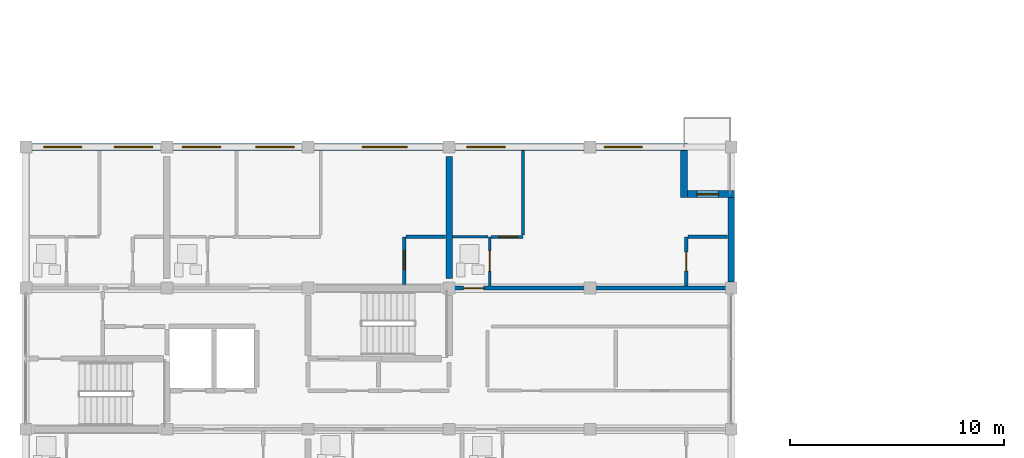
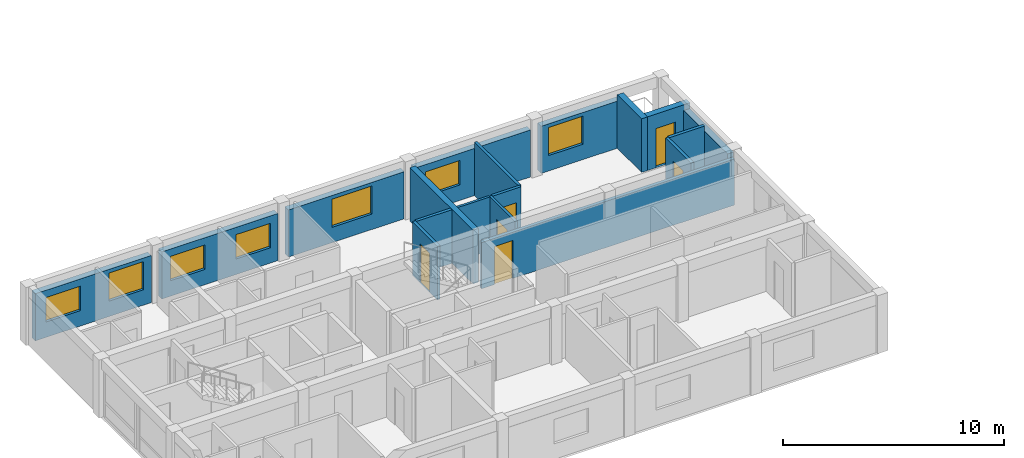
# One storey, part 33 of 45: 18 walls, 7 windows, 6 doors, 13 openings.
"""IFC4 building model written with IfcOpenShell, lengths in metres."""

from ifc_helpers import new_model, si_unit, direction, frame, frame_2d, origin, place, context, subcontext, project, spatial, rectangle, extrude, material, layer, layer_set, type_object, element, fill, save


model = new_model("IFC4")

# Units and contexts
model_context = context("Model", 3, precision=1e-05, world=origin(), true_north=direction((0.0, 1.0)))
body_context = subcontext(model_context, "Body", "Model", "MODEL_VIEW")
ifc_project = project(units=[si_unit("LENGTHUNIT", "METRE"), si_unit("AREAUNIT", "SQUARE_METRE"), si_unit("VOLUMEUNIT", "CUBIC_METRE"), si_unit("PLANEANGLEUNIT", "RADIAN"), si_unit("MASSUNIT", "GRAM", prefix="KILO")], contexts=[model_context])

# Site, building, storey
site_placement = place(None, origin())
site = spatial("IfcSite", under=ifc_project, at=site_placement, CompositionType="ELEMENT")
building_placement = place(site_placement, origin())
building = spatial("IfcBuilding", under=site, at=building_placement, Name="Kernevlak Ridge Housing Community", CompositionType="ELEMENT")
storey_placement = place(building_placement, frame((0.0, 0.0, 21.199951171875)))
storey = spatial("IfcBuildingStorey", under=building, at=storey_placement, Name="L06", CompositionType="ELEMENT", Elevation=21.199951171875)

# Wall, openings, windows
ifc_material_1 = material(Name="Concrete block masonry M10", Category="masonry")
ifc_layer_1 = layer(ifc_material_1, 0.320068359375, Name="Concrete block masonry M10")
ifc_layer_set_1 = layer_set([ifc_layer_1], Name="Concrete block masonry M10")
wall_type_1 = type_object("IfcWallType", Name="EW-02", PredefinedType="STANDARD", material=ifc_layer_set_1)
wall_1_placement = place(storey_placement, frame((15.875, 95.800048828125, 0.0), z_axis=(0.0, 0.0, 1.0), x_axis=(1.0, 0.0, 0.0)))
wall_1 = element("IfcWall", 1, at=wall_1_placement, inside=storey, type_object=wall_type_1, Name="Exterior wall EW-02 L06 98", PredefinedType="STANDARD", context=body_context, shape_type="SweptSolid", body=[
    extrude(rectangle(XDim=6.050048828125, YDim=0.320068359375, at=frame_2d((3.02490234375, 0.0))), origin(), (0.0, 0.0, 1.0), 2.60009765625),
])
opening_1_placement = place(wall_1_placement, frame((0.550048828125, 0.0, 0.85009765625)))
opening_1 = element("IfcOpeningElement", 2, at=opening_1_placement, cuts=wall_1, Name="Opening WT-03", PredefinedType="OPENING", context=body_context, shape_type="SweptSolid", body=[
    extrude(rectangle(XDim=1.800048828125, YDim=1.35009765625, at=frame_2d((0.89990234375, 0.675048828125))), frame((0.0, 0.169921875, 0.0), z_axis=(0.0, -1.0, 0.0), x_axis=(1.0, 0.0, 0.0)), (0.0, 0.0, 1.0), 0.340087890625),
])
opening_2_placement = place(wall_1_placement, frame((3.85009765625, 0.0, 0.85009765625)))
opening_2 = element("IfcOpeningElement", 3, at=opening_2_placement, cuts=wall_1, Name="Opening WT-04", PredefinedType="OPENING", context=body_context, shape_type="SweptSolid", body=[
    extrude(rectangle(XDim=1.800048828125, YDim=1.550048828125, at=frame_2d((0.89990234375, 0.77490234375))), frame((0.0, 0.169921875, 0.0), z_axis=(0.0, -1.0, 0.0), x_axis=(1.0, 0.0, 0.0)), (0.0, 0.0, 1.0), 0.340087890625),
])
ifc_material_2 = material(Name="Aluminium EN AW-6060 anodised and laminated glass", Category="aluminium")
window_type_1 = type_object("IfcWindowType", Name="WT-03", PartitioningType="SINGLE_PANEL", PredefinedType="WINDOW", material=ifc_material_2)
window_1_placement = place(opening_1_placement, origin())
window_1 = element("IfcWindow", 4, at=window_1_placement, inside=storey, type_object=window_type_1, Name="Window WT-03 L06 76", OverallHeight=1.35009765625, OverallWidth=1.800048828125, PartitioningType="SINGLE_PANEL", PredefinedType="WINDOW", context=body_context, shape_type="SweptSolid", body=[
    extrude(rectangle(XDim=1.800048828125, YDim=1.35009765625, at=frame_2d((0.89990234375, 0.675048828125))), frame((0.0, 0.030029296875, 0.0), z_axis=(0.0, -1.0, 0.0), x_axis=(1.0, 0.0, 0.0)), (0.0, 0.0, 1.0), 0.06005859375),
])
fill(opening_1, window_1)
window_type_2 = type_object("IfcWindowType", Name="WT-04", PartitioningType="SINGLE_PANEL", PredefinedType="WINDOW", material=ifc_material_2)
window_2_placement = place(opening_2_placement, origin())
window_2 = element("IfcWindow", 5, at=window_2_placement, inside=storey, type_object=window_type_2, Name="Window WT-04 L06 77", OverallHeight=1.550048828125, OverallWidth=1.800048828125, PartitioningType="SINGLE_PANEL", PredefinedType="WINDOW", context=body_context, shape_type="SweptSolid", body=[
    extrude(rectangle(XDim=1.800048828125, YDim=1.550048828125, at=frame_2d((0.89990234375, 0.77490234375))), frame((0.0, 0.030029296875, 0.0), z_axis=(0.0, -1.0, 0.0), x_axis=(1.0, 0.0, 0.0)), (0.0, 0.0, 1.0), 0.06005859375),
])
fill(opening_2, window_2)

wall_2_placement = place(storey_placement, frame((22.47509765625, 95.800048828125, 0.0), z_axis=(0.0, 0.0, 1.0), x_axis=(1.0, 0.0, 0.0)))
wall_2 = element("IfcWall", 6, at=wall_2_placement, inside=storey, type_object=wall_type_1, Name="Exterior wall EW-02 L06 99", PredefinedType="STANDARD", context=body_context, shape_type="SweptSolid", body=[
    extrude(rectangle(XDim=6.0498046875, YDim=0.320068359375, at=frame_2d((3.02490234375, 0.0))), origin(), (0.0, 0.0, 1.0), 2.60009765625),
])
opening_3_placement = place(wall_2_placement, frame((0.449951171875, 0.0, 0.85009765625)))
opening_3 = element("IfcOpeningElement", 7, at=opening_3_placement, cuts=wall_2, Name="Opening WT-03", PredefinedType="OPENING", context=body_context, shape_type="SweptSolid", body=[
    extrude(rectangle(XDim=1.800048828125, YDim=1.35009765625, at=frame_2d((0.89990234375, 0.675048828125))), frame((0.0, 0.169921875, 0.0), z_axis=(0.0, -1.0, 0.0), x_axis=(1.0, 0.0, 0.0)), (0.0, 0.0, 1.0), 0.340087890625),
])
opening_4_placement = place(wall_2_placement, frame((3.875, 0.0, 0.85009765625)))
opening_4 = element("IfcOpeningElement", 8, at=opening_4_placement, cuts=wall_2, Name="Opening WT-03", PredefinedType="OPENING", context=body_context, shape_type="SweptSolid", body=[
    extrude(rectangle(XDim=1.800048828125, YDim=1.35009765625, at=frame_2d((0.89990234375, 0.675048828125))), frame((0.0, 0.169921875, 0.0), z_axis=(0.0, -1.0, 0.0), x_axis=(1.0, 0.0, 0.0)), (0.0, 0.0, 1.0), 0.340087890625),
])
window_3_placement = place(opening_3_placement, origin())
window_3 = element("IfcWindow", 9, at=window_3_placement, inside=storey, type_object=window_type_1, Name="Window WT-03 L06 78", OverallHeight=1.35009765625, OverallWidth=1.800048828125, PartitioningType="SINGLE_PANEL", PredefinedType="WINDOW", context=body_context, shape_type="SweptSolid", body=[
    extrude(rectangle(XDim=1.800048828125, YDim=1.35009765625, at=frame_2d((0.89990234375, 0.675048828125))), frame((0.0, 0.030029296875, 0.0), z_axis=(0.0, -1.0, 0.0), x_axis=(1.0, 0.0, 0.0)), (0.0, 0.0, 1.0), 0.06005859375),
])
fill(opening_3, window_3)
window_4_placement = place(opening_4_placement, origin())
window_4 = element("IfcWindow", 10, at=window_4_placement, inside=storey, type_object=window_type_1, Name="Window WT-03 L06 79", OverallHeight=1.35009765625, OverallWidth=1.800048828125, PartitioningType="SINGLE_PANEL", PredefinedType="WINDOW", context=body_context, shape_type="SweptSolid", body=[
    extrude(rectangle(XDim=1.800048828125, YDim=1.35009765625, at=frame_2d((0.89990234375, 0.675048828125))), frame((0.0, 0.030029296875, 0.0), z_axis=(0.0, -1.0, 0.0), x_axis=(1.0, 0.0, 0.0)), (0.0, 0.0, 1.0), 0.06005859375),
])
fill(opening_4, window_4)

# Wall, opening, window
wall_3_placement = place(storey_placement, frame((29.074951171875, 95.800048828125, 0.0), z_axis=(0.0, 0.0, 1.0), x_axis=(1.0, 0.0, 0.0)))
wall_3 = element("IfcWall", 11, at=wall_3_placement, inside=storey, type_object=wall_type_1, Name="Exterior wall EW-02 L06 100", PredefinedType="STANDARD", context=body_context, shape_type="SweptSolid", body=[
    extrude(rectangle(XDim=6.050048828125, YDim=0.320068359375, at=frame_2d((3.02490234375, 0.0))), origin(), (0.0, 0.0, 1.0), 2.60009765625),
])
opening_5_placement = place(wall_3_placement, frame((2.27099609375, 0.0, 0.85009765625)))
opening_5 = element("IfcOpeningElement", 12, at=opening_5_placement, cuts=wall_3, Name="Opening WT-05", PredefinedType="OPENING", context=body_context, shape_type="SweptSolid", body=[
    extrude(rectangle(XDim=2.10009765625, YDim=1.550048828125, at=frame_2d((1.050048828125, 0.77490234375))), frame((0.0, 0.169921875, 0.0), z_axis=(0.0, -1.0, 0.0), x_axis=(1.0, 0.0, 0.0)), (0.0, 0.0, 1.0), 0.340087890625),
])
window_type_3 = type_object("IfcWindowType", Name="WT-05", PartitioningType="SINGLE_PANEL", PredefinedType="WINDOW", material=ifc_material_2)
window_5_placement = place(opening_5_placement, origin())
window_5 = element("IfcWindow", 13, at=window_5_placement, inside=storey, type_object=window_type_3, Name="Window WT-05 L06 80", OverallHeight=1.550048828125, OverallWidth=2.10009765625, PartitioningType="SINGLE_PANEL", PredefinedType="WINDOW", context=body_context, shape_type="SweptSolid", body=[
    extrude(rectangle(XDim=2.10009765625, YDim=1.550048828125, at=frame_2d((1.050048828125, 0.77490234375))), frame((0.0, 0.030029296875, 0.0), z_axis=(0.0, -1.0, 0.0), x_axis=(1.0, 0.0, 0.0)), (0.0, 0.0, 1.0), 0.06005859375),
])
fill(opening_5, window_5)

wall_4_placement = place(storey_placement, frame((35.675048828125, 95.800048828125, 0.0), z_axis=(0.0, 0.0, 1.0), x_axis=(1.0, 0.0, 0.0)))
wall_4 = element("IfcWall", 14, at=wall_4_placement, inside=storey, type_object=wall_type_1, Name="Exterior wall EW-02 L06 101", PredefinedType="STANDARD", context=body_context, shape_type="SweptSolid", body=[
    extrude(rectangle(XDim=6.050048828125, YDim=0.320068359375, at=frame_2d((3.02490234375, 0.0))), origin(), (0.0, 0.0, 1.0), 2.60009765625),
])
opening_6_placement = place(wall_4_placement, frame((0.550048828125, 0.0, 0.85009765625)))
opening_6 = element("IfcOpeningElement", 15, at=opening_6_placement, cuts=wall_4, Name="Opening WT-03", PredefinedType="OPENING", context=body_context, shape_type="SweptSolid", body=[
    extrude(rectangle(XDim=1.800048828125, YDim=1.35009765625, at=frame_2d((0.89990234375, 0.675048828125))), frame((0.0, 0.169921875, 0.0), z_axis=(0.0, -1.0, 0.0), x_axis=(1.0, 0.0, 0.0)), (0.0, 0.0, 1.0), 0.340087890625),
])
window_6_placement = place(opening_6_placement, origin())
window_6 = element("IfcWindow", 16, at=window_6_placement, inside=storey, type_object=window_type_1, Name="Window WT-03 L06 81", OverallHeight=1.35009765625, OverallWidth=1.800048828125, PartitioningType="SINGLE_PANEL", PredefinedType="WINDOW", context=body_context, shape_type="SweptSolid", body=[
    extrude(rectangle(XDim=1.800048828125, YDim=1.35009765625, at=frame_2d((0.89990234375, 0.675048828125))), frame((0.0, 0.030029296875, 0.0), z_axis=(0.0, -1.0, 0.0), x_axis=(1.0, 0.0, 0.0)), (0.0, 0.0, 1.0), 0.06005859375),
])
fill(opening_6, window_6)

wall_5_placement = place(storey_placement, frame((42.27490234375, 95.800048828125, 0.0), z_axis=(0.0, 0.0, 1.0), x_axis=(1.0, 0.0, 0.0)))
wall_5 = element("IfcWall", 17, at=wall_5_placement, inside=storey, type_object=wall_type_1, Name="Exterior wall EW-02 L06 102", PredefinedType="STANDARD", context=body_context, shape_type="SweptSolid", body=[
    extrude(rectangle(XDim=4.28515625, YDim=0.320068359375, at=frame_2d((2.142578125, 0.0))), origin(), (0.0, 0.0, 1.0), 2.60009765625),
])
opening_7_placement = place(wall_5_placement, frame((0.375, 0.0, 0.85009765625)))
opening_7 = element("IfcOpeningElement", 18, at=opening_7_placement, cuts=wall_5, Name="Opening WT-04", PredefinedType="OPENING", context=body_context, shape_type="SweptSolid", body=[
    extrude(rectangle(XDim=1.800048828125, YDim=1.550048828125, at=frame_2d((0.89990234375, 0.77490234375))), frame((0.0, 0.169921875, 0.0), z_axis=(0.0, -1.0, 0.0), x_axis=(1.0, 0.0, 0.0)), (0.0, 0.0, 1.0), 0.340087890625),
])
window_7_placement = place(opening_7_placement, origin())
window_7 = element("IfcWindow", 19, at=window_7_placement, inside=storey, type_object=window_type_2, Name="Window WT-04 L06 82", OverallHeight=1.550048828125, OverallWidth=1.800048828125, PartitioningType="SINGLE_PANEL", PredefinedType="WINDOW", context=body_context, shape_type="SweptSolid", body=[
    extrude(rectangle(XDim=1.800048828125, YDim=1.550048828125, at=frame_2d((0.89990234375, 0.77490234375))), frame((0.0, 0.030029296875, 0.0), z_axis=(0.0, -1.0, 0.0), x_axis=(1.0, 0.0, 0.0)), (0.0, 0.0, 1.0), 0.06005859375),
])
fill(opening_7, window_7)

# Wall
wall_6_placement = place(storey_placement, frame((46.39990234375, 95.639892578125, 0.0), z_axis=(0.0, 0.0, 1.0), x_axis=(0.0, -1.0, 0.0)))
element("IfcWall", 20, at=wall_6_placement, inside=storey, type_object=wall_type_1, Name="Exterior wall EW-02 L06 103", PredefinedType="STANDARD", context=body_context, shape_type="SweptSolid", body=[
    extrude(rectangle(XDim=2.199951171875, YDim=0.320068359375, at=frame_2d((1.10009765625, 0.0))), origin(), (0.0, 0.0, 1.0), 2.9599609375),
])

# Wall, opening, door
wall_7_placement = place(storey_placement, frame((46.56005859375, 93.60009765625, 0.0), z_axis=(0.0, 0.0, 1.0), x_axis=(1.0, 0.0, 0.0)))
wall_7 = element("IfcWall", 21, at=wall_7_placement, inside=storey, type_object=wall_type_1, Name="Exterior wall EW-02 L06 104", PredefinedType="STANDARD", context=body_context, shape_type="SweptSolid", body=[
    extrude(rectangle(XDim=2.199951171875, YDim=0.320068359375, at=frame_2d((1.10009765625, 0.0))), origin(), (0.0, 0.0, 1.0), 2.9599609375),
])
opening_8_placement = place(wall_7_placement, frame((0.429931640625, 0.0, 0.0)))
opening_8 = element("IfcOpeningElement", 22, at=opening_8_placement, cuts=wall_7, Name="Opening D221", PredefinedType="OPENING", context=body_context, shape_type="SweptSolid", body=[
    extrude(rectangle(XDim=1.02001953125, YDim=2.159912109375, at=frame_2d((0.510009765625, 1.080078125))), frame((0.0, 0.169921875, 0.0), z_axis=(0.0, -1.0, 0.0), x_axis=(1.0, 0.0, 0.0)), (0.0, 0.0, 1.0), 0.340087890625),
])
ifc_material_3 = material(Name="Aluminium EN AW-6060 and laminated safety glass", Category="aluminium")
door_type_1 = type_object("IfcDoorType", Name="DT-33", OperationType="NOTDEFINED", PredefinedType="DOOR", material=ifc_material_3)
door_1_placement = place(opening_8_placement, origin())
door_1 = element("IfcDoor", 23, at=door_1_placement, inside=storey, type_object=door_type_1, Name="Flat A0623 corner balcony glazed door D221", OperationType="SINGLE_SWING_LEFT", OverallHeight=2.159912109375, OverallWidth=1.02001953125, PredefinedType="DOOR", context=body_context, shape_type="SweptSolid", body=[
    extrude(rectangle(XDim=1.02001953125, YDim=2.159912109375, at=frame_2d((0.510009765625, 1.080078125))), frame((0.0, 0.02490234375, 0.0), z_axis=(0.0, -1.0, 0.0), x_axis=(1.0, 0.0, 0.0)), (0.0, 0.0, 1.0), 0.050048828125),
])
fill(opening_8, door_1)

# Wall
wall_8_placement = place(storey_placement, frame((48.60009765625, 89.47509765625, 0.0), z_axis=(0.0, 0.0, 1.0), x_axis=(0.0, 1.0, 0.0)))
element("IfcWall", 24, at=wall_8_placement, inside=storey, type_object=wall_type_1, Name="Exterior wall EW-02 L06 108", PredefinedType="STANDARD", context=body_context, shape_type="SweptSolid", body=[
    extrude(rectangle(XDim=3.96484375, YDim=0.320068359375, at=frame_2d((1.982421875, 0.0))), origin(), (0.0, 0.0, 1.0), 2.650146484375),
])

# Wall, opening, door
ifc_layer_2 = layer(ifc_material_1, 0.175048828125, Name="Concrete block masonry M10")
ifc_layer_set_2 = layer_set([ifc_layer_2], Name="Concrete block masonry M10")
wall_type_2 = type_object("IfcWallType", Name="PW-02", PredefinedType="PARTITIONING", material=ifc_layer_set_2)
wall_9_placement = place(storey_placement, frame((35.39990234375, 89.199951171875, 0.0), z_axis=(0.0, 0.0, 1.0), x_axis=(1.0, 0.0, 0.0)))
wall_9 = element("IfcWall", 25, at=wall_9_placement, inside=storey, type_object=wall_type_2, Name="Interior wall PW-02 WAL-INT-L06-0432", PredefinedType="PARTITIONING", context=body_context, shape_type="SweptSolid", body=[
    extrude(rectangle(XDim=13.2001953125, YDim=0.175048828125, at=frame_2d((6.60009765625, 0.0))), origin(), (0.0, 0.0, 1.0), 2.550048828125),
])
opening_9_placement = place(wall_9_placement, frame((0.669921875, 0.0, 0.0)))
opening_9 = element("IfcOpeningElement", 26, at=opening_9_placement, cuts=wall_9, Name="Opening D217", PredefinedType="OPENING", context=body_context, shape_type="SweptSolid", body=[
    extrude(rectangle(XDim=0.949951171875, YDim=2.10009765625, at=frame_2d((0.47509765625, 1.050048828125))), frame((0.0, 0.097412109375, 0.0), z_axis=(0.0, -1.0, 0.0), x_axis=(1.0, 0.0, 0.0)), (0.0, 0.0, 1.0), 0.195068359375),
])
ifc_material_4 = material(Name="Hardwood timber solid-core fire leaf", Category="wood")
door_type_2 = type_object("IfcDoorType", Name="DT-01", OperationType="NOTDEFINED", PredefinedType="DOOR", material=ifc_material_4)
door_2_placement = place(opening_9_placement, origin())
door_2 = element("IfcDoor", 27, at=door_2_placement, inside=storey, type_object=door_type_2, Name="Flat A0623 entrance fire door D217", OperationType="SINGLE_SWING_LEFT", OverallHeight=2.10009765625, OverallWidth=0.949951171875, PredefinedType="DOOR", context=body_context, shape_type="SweptSolid", body=[
    extrude(rectangle(XDim=0.949951171875, YDim=2.10009765625, at=frame_2d((0.47509765625, 1.050048828125))), frame((0.0, 0.02490234375, 0.0), z_axis=(0.0, -1.0, 0.0), x_axis=(1.0, 0.0, 0.0)), (0.0, 0.0, 1.0), 0.050048828125),
])
fill(opening_9, door_2)

ifc_layer_3 = layer(ifc_material_1, 0.14501953125, Name="Concrete block masonry M10")
ifc_layer_set_3 = layer_set([ifc_layer_3], Name="Concrete block masonry M10")
wall_type_3 = type_object("IfcWallType", Name="PW-03", PredefinedType="PARTITIONING", material=ifc_layer_set_3)
wall_10_placement = place(storey_placement, frame((37.37255859375, 91.60009765625, 0.0), z_axis=(0.0, 0.0, 1.0), x_axis=(1.0, 0.0, 0.0)))
wall_10 = element("IfcWall", 28, at=wall_10_placement, inside=storey, type_object=wall_type_3, Name="Interior wall PW-03 WAL-INT-L06-0437", PredefinedType="PARTITIONING", context=body_context, shape_type="SweptSolid", body=[
    extrude(rectangle(XDim=1.4775390625, YDim=0.14501953125, at=frame_2d((0.73876953125, 0.0))), origin(), (0.0, 0.0, 1.0), 2.9599609375),
])
opening_10_placement = place(wall_10_placement, frame((0.35009765625, 0.0, 0.0)))
opening_10 = element("IfcOpeningElement", 29, at=opening_10_placement, cuts=wall_10, Name="Opening D220", PredefinedType="OPENING", context=body_context, shape_type="SweptSolid", body=[
    extrude(rectangle(XDim=0.89990234375, YDim=2.159912109375, at=frame_2d((0.449951171875, 1.080078125))), frame((0.0, 0.08251953125, 0.0), z_axis=(0.0, -1.0, 0.0), x_axis=(1.0, 0.0, 0.0)), (0.0, 0.0, 1.0), 0.1650390625),
])
ifc_material_5 = material(Name="Hardwood timber leaf", Category="wood")
door_type_3 = type_object("IfcDoorType", Name="DT-22", OperationType="NOTDEFINED", PredefinedType="DOOR", material=ifc_material_5)
door_3_placement = place(opening_10_placement, origin())
door_3 = element("IfcDoor", 30, at=door_3_placement, inside=storey, type_object=door_type_3, Name="Flat A0623 bedroom door D220", OperationType="SINGLE_SWING_RIGHT", OverallHeight=2.159912109375, OverallWidth=0.89990234375, PredefinedType="DOOR", context=body_context, shape_type="SweptSolid", body=[
    extrude(rectangle(XDim=0.89990234375, YDim=2.159912109375, at=frame_2d((0.449951171875, 1.080078125))), frame((0.0, 0.02490234375, 0.0), z_axis=(0.0, -1.0, 0.0), x_axis=(1.0, 0.0, 0.0)), (0.0, 0.0, 1.0), 0.050048828125),
])
fill(opening_10, door_3)

# Wall
wall_11_placement = place(storey_placement, frame((38.85009765625, 91.6826171875, 0.0), z_axis=(0.0, 0.0, 1.0), x_axis=(0.0, 1.0, 0.0)))
element("IfcWall", 31, at=wall_11_placement, inside=storey, type_object=wall_type_3, Name="Interior wall PW-03 WAL-INT-L06-0438", PredefinedType="PARTITIONING", context=body_context, shape_type="SweptSolid", body=[
    extrude(rectangle(XDim=3.947265625, YDim=0.14501953125, at=frame_2d((1.9736328125, 0.0))), origin(), (0.0, 0.0, 1.0), 2.9599609375),
])

# Wall, opening, door
ifc_material_6 = material(Name="Gypsum plasterboard EN 520", Category="gypsum")
ifc_layer_4 = layer(ifc_material_6, 0.125, Name="Gypsum plasterboard EN 520")
ifc_layer_set_4 = layer_set([ifc_layer_4], Name="Gypsum plasterboard EN 520")
wall_type_4 = type_object("IfcWallType", Name="PW-04", PredefinedType="PARTITIONING", material=ifc_layer_set_4)
wall_12_placement = place(storey_placement, frame((37.300048828125, 89.297607421875, 0.0), z_axis=(0.0, 0.0, 1.0), x_axis=(0.0, 1.0, 0.0)))
wall_12 = element("IfcWall", 32, at=wall_12_placement, inside=storey, type_object=wall_type_4, Name="Interior wall PW-04 WAL-INT-L06-0433", PredefinedType="PARTITIONING", context=body_context, shape_type="SweptSolid", body=[
    extrude(rectangle(XDim=2.302490234375, YDim=0.125, at=frame_2d((1.1513671875, 0.0))), origin(), (0.0, 0.0, 1.0), 2.9599609375),
])
opening_11_placement = place(wall_12_placement, frame((0.699951171875, 0.0, 0.0)))
opening_11 = element("IfcOpeningElement", 33, at=opening_11_placement, cuts=wall_12, Name="Opening D218", PredefinedType="OPENING", context=body_context, shape_type="SweptSolid", body=[
    extrude(rectangle(XDim=0.93994140625, YDim=2.080078125, at=frame_2d((0.469970703125, 1.0400390625))), frame((0.0, 0.072509765625, 0.0), z_axis=(0.0, -1.0, 0.0), x_axis=(1.0, 0.0, 0.0)), (0.0, 0.0, 1.0), 0.14501953125),
])
ifc_material_7 = material(Name="Hardwood timber moisture-resistant leaf", Category="wood")
door_type_4 = type_object("IfcDoorType", Name="DT-23", OperationType="NOTDEFINED", PredefinedType="DOOR", material=ifc_material_7)
door_4_placement = place(opening_11_placement, origin())
door_4 = element("IfcDoor", 34, at=door_4_placement, inside=storey, type_object=door_type_4, Name="Flat A0623 bathroom door D218", OperationType="SINGLE_SWING_RIGHT", OverallHeight=2.080078125, OverallWidth=0.93994140625, PredefinedType="DOOR", context=body_context, shape_type="SweptSolid", body=[
    extrude(rectangle(XDim=0.93994140625, YDim=2.080078125, at=frame_2d((0.469970703125, 1.0400390625))), frame((0.0, 0.02490234375, 0.0), z_axis=(0.0, -1.0, 0.0), x_axis=(1.0, 0.0, 0.0)), (0.0, 0.0, 1.0), 0.050048828125),
])
fill(opening_11, door_4)

# Wall
wall_13_placement = place(storey_placement, frame((35.56005859375, 91.60009765625, 0.0), z_axis=(0.0, 0.0, 1.0), x_axis=(1.0, 0.0, 0.0)))
element("IfcWall", 35, at=wall_13_placement, inside=storey, type_object=wall_type_4, Name="Interior wall PW-04 WAL-INT-L06-0434", PredefinedType="PARTITIONING", context=body_context, shape_type="SweptSolid", body=[
    extrude(rectangle(XDim=1.659912109375, YDim=0.125, at=frame_2d((0.830078125, 0.0))), origin(), (0.0, 0.0, 1.0), 2.9599609375),
])

# Wall, opening, door
ifc_layer_5 = layer(ifc_material_6, 0.155029296875, Name="Gypsum plasterboard EN 520")
ifc_layer_set_5 = layer_set([ifc_layer_5], Name="Gypsum plasterboard EN 520")
wall_type_5 = type_object("IfcWallType", Name="PW-05", PredefinedType="PARTITIONING", material=ifc_layer_set_5)
wall_14_placement = place(storey_placement, frame((33.300048828125, 89.360107421875, 0.0), z_axis=(0.0, 0.0, 1.0), x_axis=(0.0, 1.0, 0.0)))
wall_14 = element("IfcWall", 36, at=wall_14_placement, inside=storey, type_object=wall_type_5, Name="Interior wall PW-05 WAL-INT-L06-0426", PredefinedType="PARTITIONING", context=body_context, shape_type="SweptSolid", body=[
    extrude(rectangle(XDim=2.239990234375, YDim=0.155029296875, at=frame_2d((1.1201171875, 0.0))), origin(), (0.0, 0.0, 1.0), 2.9599609375),
])
opening_12_placement = place(wall_14_placement, frame((0.699951171875, 0.0, 0.0)))
opening_12 = element("IfcOpeningElement", 37, at=opening_12_placement, cuts=wall_14, Name="Opening D214", PredefinedType="OPENING", context=body_context, shape_type="SweptSolid", body=[
    extrude(rectangle(XDim=0.8798828125, YDim=2.159912109375, at=frame_2d((0.43994140625, 1.080078125))), frame((0.0, 0.08740234375, 0.0), z_axis=(0.0, -1.0, 0.0), x_axis=(1.0, 0.0, 0.0)), (0.0, 0.0, 1.0), 0.175048828125),
])
door_type_5 = type_object("IfcDoorType", Name="DT-26", OperationType="NOTDEFINED", PredefinedType="DOOR", material=ifc_material_5)
door_5_placement = place(opening_12_placement, origin())
door_5 = element("IfcDoor", 38, at=door_5_placement, inside=storey, type_object=door_type_5, Name="Flat A0622 kitchen door D214", OperationType="SINGLE_SWING_RIGHT", OverallHeight=2.159912109375, OverallWidth=0.8798828125, PredefinedType="DOOR", context=body_context, shape_type="SweptSolid", body=[
    extrude(rectangle(XDim=0.8798828125, YDim=2.159912109375, at=frame_2d((0.43994140625, 1.080078125))), frame((0.0, 0.02490234375, 0.0), z_axis=(0.0, -1.0, 0.0), x_axis=(1.0, 0.0, 0.0)), (0.0, 0.0, 1.0), 0.050048828125),
])
fill(opening_12, door_5)

# Wall
wall_15_placement = place(storey_placement, frame((33.387451171875, 91.60009765625, 0.0), z_axis=(0.0, 0.0, 1.0), x_axis=(1.0, 0.0, 0.0)))
element("IfcWall", 39, at=wall_15_placement, inside=storey, type_object=wall_type_5, Name="Interior wall PW-05 WAL-INT-L06-0427", PredefinedType="PARTITIONING", context=body_context, shape_type="SweptSolid", body=[
    extrude(rectangle(XDim=1.8525390625, YDim=0.155029296875, at=frame_2d((0.92626953125, 0.0))), origin(), (0.0, 0.0, 1.0), 2.9599609375),
])

# Wall, opening, door
wall_16_placement = place(storey_placement, frame((46.5, 89.297607421875, 0.0), z_axis=(0.0, 0.0, 1.0), x_axis=(0.0, 1.0, 0.0)))
wall_16 = element("IfcWall", 40, at=wall_16_placement, inside=storey, type_object=wall_type_5, Name="Interior wall PW-05 WAL-INT-L06-0435", PredefinedType="PARTITIONING", context=body_context, shape_type="SweptSolid", body=[
    extrude(rectangle(XDim=2.302490234375, YDim=0.155029296875, at=frame_2d((1.1513671875, 0.0))), origin(), (0.0, 0.0, 1.0), 2.9599609375),
])
opening_13_placement = place(wall_16_placement, frame((0.699951171875, 0.0, 0.0)))
opening_13 = element("IfcOpeningElement", 41, at=opening_13_placement, cuts=wall_16, Name="Opening D219", PredefinedType="OPENING", context=body_context, shape_type="SweptSolid", body=[
    extrude(rectangle(XDim=0.89990234375, YDim=2.10009765625, at=frame_2d((0.449951171875, 1.050048828125))), frame((0.0, 0.08740234375, 0.0), z_axis=(0.0, -1.0, 0.0), x_axis=(1.0, 0.0, 0.0)), (0.0, 0.0, 1.0), 0.175048828125),
])
door_type_6 = type_object("IfcDoorType", Name="DT-21", OperationType="NOTDEFINED", PredefinedType="DOOR", material=ifc_material_5)
door_6_placement = place(opening_13_placement, origin())
door_6 = element("IfcDoor", 42, at=door_6_placement, inside=storey, type_object=door_type_6, Name="Flat A0623 kitchen door D219", OperationType="SINGLE_SWING_LEFT", OverallHeight=2.10009765625, OverallWidth=0.89990234375, PredefinedType="DOOR", context=body_context, shape_type="SweptSolid", body=[
    extrude(rectangle(XDim=0.89990234375, YDim=2.10009765625, at=frame_2d((0.449951171875, 1.050048828125))), frame((0.0, 0.02490234375, 0.0), z_axis=(0.0, -1.0, 0.0), x_axis=(1.0, 0.0, 0.0)), (0.0, 0.0, 1.0), 0.050048828125),
])
fill(opening_13, door_6)

# Walls
wall_17_placement = place(storey_placement, frame((46.58740234375, 91.60009765625, 0.0), z_axis=(0.0, 0.0, 1.0), x_axis=(1.0, 0.0, 0.0)))
element("IfcWall", 43, at=wall_17_placement, inside=storey, type_object=wall_type_5, Name="Interior wall PW-05 WAL-INT-L06-0436", PredefinedType="PARTITIONING", context=body_context, shape_type="SweptSolid", body=[
    extrude(rectangle(XDim=1.842529296875, YDim=0.155029296875, at=frame_2d((0.92138671875, 0.0))), origin(), (0.0, 0.0, 1.0), 2.9599609375),
])
ifc_material_8 = material(Name="Concrete C40/50", Category="concrete")
ifc_layer_6 = layer(ifc_material_8, 0.300048828125, Name="Concrete C40/50")
ifc_layer_set_6 = layer_set([ifc_layer_6], Name="Concrete C40/50")
wall_type_6 = type_object("IfcWallType", Name="SW-02", PredefinedType="SHEAR", material=ifc_layer_set_6)
wall_18_placement = place(storey_placement, frame((35.39990234375, 89.64990234375, 0.0), z_axis=(0.0, 0.0, 1.0), x_axis=(0.0, 1.0, 0.0)))
element("IfcWall", 44, at=wall_18_placement, inside=storey, type_object=wall_type_6, Name="Shear wall SW-02 Block A L06 80", PredefinedType="SHEAR", context=body_context, shape_type="SweptSolid", body=[
    extrude(rectangle(XDim=5.7001953125, YDim=0.300048828125, at=frame_2d((2.85009765625, 0.0))), origin(), (0.0, 0.0, 1.0), 2.9599609375),
])

save(model, "model.ifc")
